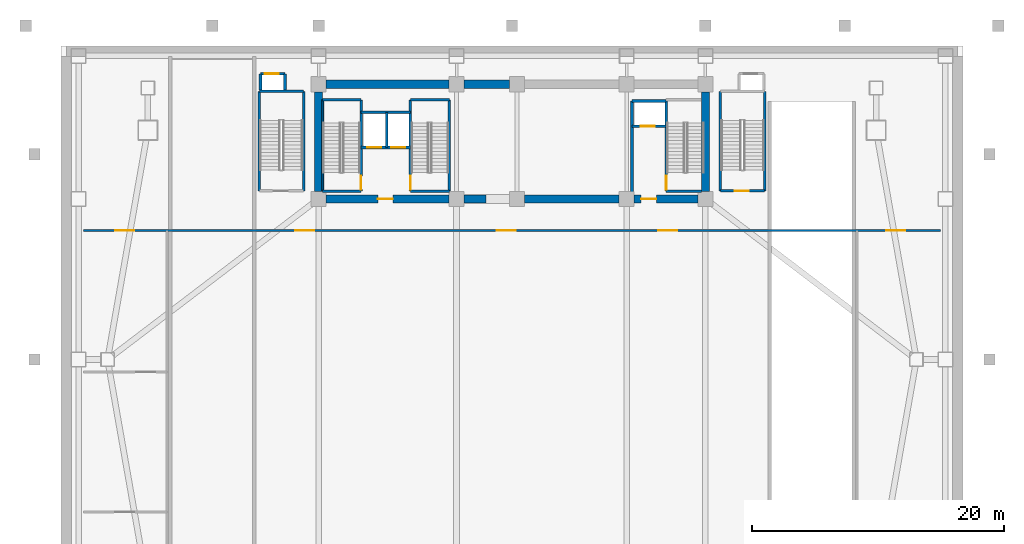
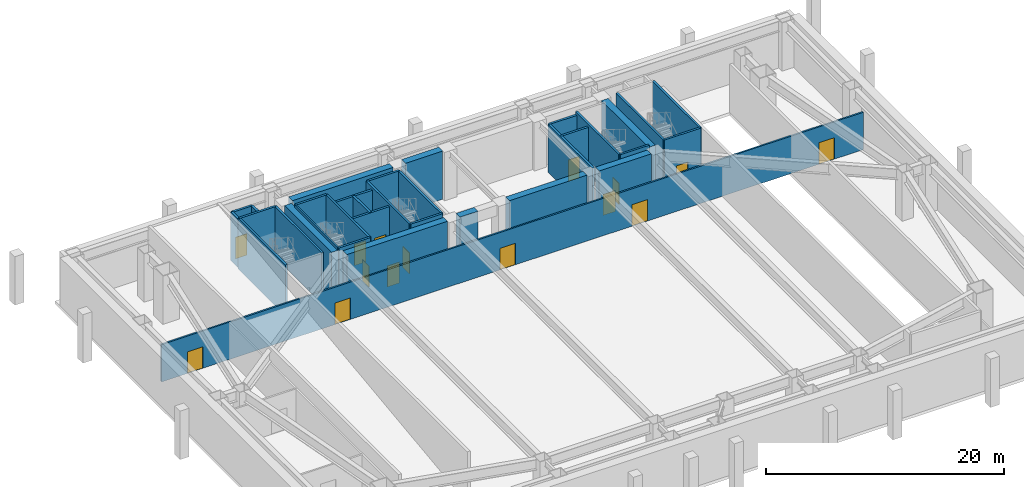
# One storey, part 3 of 6: 34 walls, 15 doors, 15 openings.
"""IFC4 building model written with IfcOpenShell, lengths in metres."""

from ifc_helpers import new_model, si_unit, direction, frame, frame_2d, origin, place, context, subcontext, project, spatial, rectangle, extrude, source, transform, mapped, material, layer, layer_set, type_object, element, fill, save


model = new_model("IFC4")

# Units and contexts
model_context = context("Model", 3, precision=1e-05, world=origin(), true_north=direction((0.0, 1.0)))
body_context = subcontext(model_context, "Body", "Model", "MODEL_VIEW")
ifc_project = project(units=[si_unit("LENGTHUNIT", "METRE"), si_unit("AREAUNIT", "SQUARE_METRE"), si_unit("VOLUMEUNIT", "CUBIC_METRE"), si_unit("PLANEANGLEUNIT", "RADIAN"), si_unit("MASSUNIT", "GRAM", prefix="KILO")], contexts=[model_context])

# Site, building, storey
site_placement = place(None, origin())
site = spatial("IfcSite", under=ifc_project, at=site_placement, CompositionType="ELEMENT")
building_placement = place(site_placement, origin())
building = spatial("IfcBuilding", under=site, at=building_placement, Name="Giltprow Tower", CompositionType="ELEMENT")
storey_placement = place(building_placement, frame((0.0, 0.0, -5.199951171875)))
storey = spatial("IfcBuildingStorey", under=building, at=storey_placement, Name="B01", CompositionType="ELEMENT", Elevation=-5.199951171875)

# Wall, openings, doors
ifc_material_1 = material(Name="Gypsum stud partition", Category="gypsum")
ifc_layer_1 = layer(ifc_material_1, 0.159912109375, Name="Gypsum stud partition")
ifc_layer_set_1 = layer_set([ifc_layer_1], Name="Gypsum stud partition")
wall_type_1 = type_object("IfcWallType", Name="IW-DEMISE-160", PredefinedType="PARTITIONING", material=ifc_layer_set_1)
wall_1_placement = place(storey_placement, frame((1.199951171875, 34.949951171875, 0.0), z_axis=(0.0, 0.0, 1.0), x_axis=(1.0, 0.0, 0.0)))
wall_1 = element("IfcWall", 1, at=wall_1_placement, inside=storey, type_object=wall_type_1, Name="B01 Car Park and Plant North Fire Wall", PredefinedType="PARTITIONING", context=body_context, shape_type="SweptSolid", body=[
    extrude(rectangle(XDim=68.0, YDim=0.159912109375, at=frame_2d((34.0, 0.0))), origin(), (0.0, 0.0, 1.0), 3.824951171875),
])
opening_1_placement = place(wall_1_placement, frame((16.800048828125, 0.0, 0.0)))
opening_1 = element("IfcOpeningElement", 2, at=opening_1_placement, cuts=wall_1, Name="Opening ID25", PredefinedType="OPENING", context=body_context, shape_type="SweptSolid", body=[
    extrude(rectangle(XDim=1.5, YDim=2.199951171875, at=frame_2d((0.75, 1.10009765625))), frame((0.0, 0.08984375, 0.0), z_axis=(0.0, -1.0, 0.0), x_axis=(1.0, 0.0, 0.0)), (0.0, 0.0, 1.0), 0.179931640625),
])
opening_2_placement = place(wall_1_placement, frame((32.800048828125, 0.0, 0.0)))
opening_2 = element("IfcOpeningElement", 3, at=opening_2_placement, cuts=wall_1, Name="Opening ID25", PredefinedType="OPENING", context=body_context, shape_type="SweptSolid", body=[
    extrude(rectangle(XDim=1.5, YDim=2.199951171875, at=frame_2d((0.75, 1.10009765625))), frame((0.0, 0.08984375, 0.0), z_axis=(0.0, -1.0, 0.0), x_axis=(1.0, 0.0, 0.0)), (0.0, 0.0, 1.0), 0.179931640625),
])
opening_3_placement = place(wall_1_placement, frame((45.60009765625, 0.0, 0.0)))
opening_3 = element("IfcOpeningElement", 4, at=opening_3_placement, cuts=wall_1, Name="Opening ID25", PredefinedType="OPENING", context=body_context, shape_type="SweptSolid", body=[
    extrude(rectangle(XDim=1.5, YDim=2.199951171875, at=frame_2d((0.75, 1.10009765625))), frame((0.0, 0.08984375, 0.0), z_axis=(0.0, -1.0, 0.0), x_axis=(1.0, 0.0, 0.0)), (0.0, 0.0, 1.0), 0.179931640625),
])
opening_4_placement = place(wall_1_placement, frame((2.5, 0.0, 0.0)))
opening_4 = element("IfcOpeningElement", 5, at=opening_4_placement, cuts=wall_1, Name="Opening ID25", PredefinedType="OPENING", context=body_context, shape_type="SweptSolid", body=[
    extrude(rectangle(XDim=1.5, YDim=2.199951171875, at=frame_2d((0.75, 1.10009765625))), frame((0.0, 0.08984375, 0.0), z_axis=(0.0, -1.0, 0.0), x_axis=(1.0, 0.0, 0.0)), (0.0, 0.0, 1.0), 0.179931640625),
])
opening_5_placement = place(wall_1_placement, frame((63.699951171875, 0.0, 0.0)))
opening_5 = element("IfcOpeningElement", 6, at=opening_5_placement, cuts=wall_1, Name="Opening ID25", PredefinedType="OPENING", context=body_context, shape_type="SweptSolid", body=[
    extrude(rectangle(XDim=1.5, YDim=2.199951171875, at=frame_2d((0.75, 1.10009765625))), frame((0.0, 0.08984375, 0.0), z_axis=(0.0, -1.0, 0.0), x_axis=(1.0, 0.0, 0.0)), (0.0, 0.0, 1.0), 0.179931640625),
])
ifc_material_2 = material(Name="Steel fire leaf", Category="steel")
door_type_1 = type_object("IfcDoorType", Name="DR-PLANT-1500", OperationType="DOUBLE_SWING_LEFT", PredefinedType="DOOR", material=ifc_material_2)
shared_shape_1 = source(origin(), body_context, "Body", "SweptSolid", [
    extrude(rectangle(XDim=1.5, YDim=2.199951171875, at=frame_2d((0.75, 1.10009765625))), frame((0.0, 0.02490234375, 0.0), z_axis=(0.0, -1.0, 0.0), x_axis=(1.0, 0.0, 0.0)), (0.0, 0.0, 1.0), 0.050048828125),
])
door_1_placement = place(opening_1_placement, origin())
door_1 = element("IfcDoor", 7, at=door_1_placement, inside=storey, type_object=door_type_1, Name="B01 Car Park West Lobby Door", OperationType="DOUBLE_SWING_LEFT", OverallHeight=2.199951171875, OverallWidth=1.5, PredefinedType="DOOR", context=body_context, shape_type="MappedRepresentation", body=[
    mapped(shared_shape_1, transform((0.0, 0.0, 0.0), x_axis=(1.0, 0.0, 0.0), y_axis=(0.0, 1.0, 0.0), z_axis=(0.0, 0.0, 1.0), scale=1.0)),
])
fill(opening_1, door_1)
door_2_placement = place(opening_2_placement, origin())
door_2 = element("IfcDoor", 8, at=door_2_placement, inside=storey, type_object=door_type_1, Name="B01 Car Park Central Lobby Door", OperationType="DOUBLE_SWING_LEFT", OverallHeight=2.199951171875, OverallWidth=1.5, PredefinedType="DOOR", context=body_context, shape_type="MappedRepresentation", body=[
    mapped(shared_shape_1, transform((0.0, 0.0, 0.0), x_axis=(1.0, 0.0, 0.0), y_axis=(0.0, 1.0, 0.0), z_axis=(0.0, 0.0, 1.0), scale=1.0)),
])
fill(opening_2, door_2)
door_3_placement = place(opening_3_placement, origin())
door_3 = element("IfcDoor", 9, at=door_3_placement, inside=storey, type_object=door_type_1, Name="B01 Car Park East Lobby Door", OperationType="DOUBLE_SWING_LEFT", OverallHeight=2.199951171875, OverallWidth=1.5, PredefinedType="DOOR", context=body_context, shape_type="MappedRepresentation", body=[
    mapped(shared_shape_1, transform((0.0, 0.0, 0.0), x_axis=(1.0, 0.0, 0.0), y_axis=(0.0, 1.0, 0.0), z_axis=(0.0, 0.0, 1.0), scale=1.0)),
])
fill(opening_3, door_3)
door_4_placement = place(opening_4_placement, origin())
door_4 = element("IfcDoor", 10, at=door_4_placement, inside=storey, type_object=door_type_1, Name="B01 Sprinkler Tank and Booster Plant Room Corridor Door", OperationType="DOUBLE_SWING_LEFT", OverallHeight=2.199951171875, OverallWidth=1.5, PredefinedType="DOOR", context=body_context, shape_type="MappedRepresentation", body=[
    mapped(shared_shape_1, transform((0.0, 0.0, 0.0), x_axis=(1.0, 0.0, 0.0), y_axis=(0.0, 1.0, 0.0), z_axis=(0.0, 0.0, 1.0), scale=1.0)),
])
fill(opening_4, door_4)
door_5_placement = place(opening_5_placement, origin())
door_5 = element("IfcDoor", 11, at=door_5_placement, inside=storey, type_object=door_type_1, Name="B01 Fan and Smoke Extract Plant Door", OperationType="DOUBLE_SWING_LEFT", OverallHeight=2.199951171875, OverallWidth=1.5, PredefinedType="DOOR", context=body_context, shape_type="MappedRepresentation", body=[
    mapped(shared_shape_1, transform((0.0, 0.0, 0.0), x_axis=(1.0, 0.0, 0.0), y_axis=(0.0, 1.0, 0.0), z_axis=(0.0, 0.0, 1.0), scale=1.0)),
])
fill(opening_5, door_5)

ifc_material_3 = material(Name="Concrete C40", Category="concrete")
ifc_layer_2 = layer(ifc_material_3, 0.219970703125, Name="Concrete C40")
ifc_layer_set_2 = layer_set([ifc_layer_2], Name="Concrete C40")
wall_type_2 = type_object("IfcWallType", Name="IW-SHAFT-220", PredefinedType="SOLIDWALL", material=ifc_layer_set_2)
wall_2_placement = place(storey_placement, frame((23.219970703125, 41.52001953125, 0.0), z_axis=(0.0, 0.0, 1.0), x_axis=(1.0, 0.0, 0.0)))
wall_2 = element("IfcWall", 12, at=wall_2_placement, inside=storey, type_object=wall_type_2, Name="B01 FFL1 and Service Lift Front Wall", PredefinedType="SOLIDWALL", context=body_context, shape_type="SweptSolid", body=[
    extrude(rectangle(XDim=3.919921875, YDim=0.219970703125, at=frame_2d((1.9599609375, 0.0))), origin(), (0.0, 0.0, 1.0), 4.93994140625),
])
opening_6_placement = place(wall_2_placement, frame((0.5, 0.0, 0.0)))
opening_6 = element("IfcOpeningElement", 13, at=opening_6_placement, cuts=wall_2, Name="Opening LD-11", PredefinedType="OPENING", context=body_context, shape_type="SweptSolid", body=[
    extrude(rectangle(XDim=1.10009765625, YDim=2.199951171875, at=frame_2d((0.550048828125, 1.10009765625))), frame((0.0, 0.119873046875, 0.0), z_axis=(0.0, -1.0, 0.0), x_axis=(1.0, 0.0, 0.0)), (0.0, 0.0, 1.0), 0.239990234375),
])
opening_7_placement = place(wall_2_placement, frame((2.39990234375, 0.0, 0.0)))
opening_7 = element("IfcOpeningElement", 14, at=opening_7_placement, cuts=wall_2, Name="Opening LD-11", PredefinedType="OPENING", context=body_context, shape_type="SweptSolid", body=[
    extrude(rectangle(XDim=1.10009765625, YDim=2.199951171875, at=frame_2d((0.550048828125, 1.10009765625))), frame((0.0, 0.119873046875, 0.0), z_axis=(0.0, -1.0, 0.0), x_axis=(1.0, 0.0, 0.0)), (0.0, 0.0, 1.0), 0.239990234375),
])
ifc_material_4 = material(Name="Stainless steel", Category="steel")
door_type_2 = type_object("IfcDoorType", Name="DR-LIFT-LD1100", OperationType="SLIDING_TO_LEFT", PredefinedType="DOOR", material=ifc_material_4)
shared_shape_2 = source(origin(), body_context, "Body", "SweptSolid", [
    extrude(rectangle(XDim=1.10009765625, YDim=2.199951171875, at=frame_2d((0.550048828125, 1.10009765625))), frame((0.0, 0.02490234375, 0.0), z_axis=(0.0, -1.0, 0.0), x_axis=(1.0, 0.0, 0.0)), (0.0, 0.0, 1.0), 0.050048828125),
])
door_6_placement = place(opening_6_placement, origin())
door_6 = element("IfcDoor", 15, at=door_6_placement, inside=storey, type_object=door_type_2, Name="B01 FFL1 Landing Door", OperationType="SLIDING_TO_LEFT", OverallHeight=2.199951171875, OverallWidth=1.10009765625, PredefinedType="DOOR", context=body_context, shape_type="MappedRepresentation", body=[
    mapped(shared_shape_2, transform((0.0, 0.0, 0.0), x_axis=(1.0, 0.0, 0.0), y_axis=(0.0, 1.0, 0.0), z_axis=(0.0, 0.0, 1.0), scale=1.0)),
])
fill(opening_6, door_6)
door_7_placement = place(opening_7_placement, origin())
door_7 = element("IfcDoor", 16, at=door_7_placement, inside=storey, type_object=door_type_2, Name="B01 SVL1 Landing Door", OperationType="SLIDING_TO_LEFT", OverallHeight=2.199951171875, OverallWidth=1.10009765625, PredefinedType="DOOR", context=body_context, shape_type="MappedRepresentation", body=[
    mapped(shared_shape_2, transform((0.0, 0.0, 0.0), x_axis=(1.0, 0.0, 0.0), y_axis=(0.0, 1.0, 0.0), z_axis=(0.0, 0.0, 1.0), scale=1.0)),
])
fill(opening_7, door_7)

# Walls
wall_3_placement = place(storey_placement, frame((25.260009765625, 41.52001953125, 0.0), z_axis=(0.0, 0.0, 1.0), x_axis=(0.0, 1.0, 0.0)))
element("IfcWall", 17, at=wall_3_placement, inside=storey, type_object=wall_type_2, Name="B01 FFL1-SVL1 Shaft Divider", PredefinedType="SOLIDWALL", context=body_context, shape_type="SweptSolid", body=[
    extrude(rectangle(XDim=2.800048828125, YDim=0.219970703125, at=frame_2d((1.39990234375, 0.0))), origin(), (0.0, 0.0, 1.0), 4.93994140625),
])
wall_4_placement = place(storey_placement, frame((23.219970703125, 44.320068359375, 0.0), z_axis=(0.0, 0.0, 1.0), x_axis=(1.0, 0.0, 0.0)))
element("IfcWall", 18, at=wall_4_placement, inside=storey, type_object=wall_type_2, Name="B01 FFL1-SVL1 Back Shaft Wall", PredefinedType="SOLIDWALL", context=body_context, shape_type="SweptSolid", body=[
    extrude(rectangle(XDim=3.919921875, YDim=0.219970703125, at=frame_2d((1.9599609375, 0.0))), origin(), (0.0, 0.0, 1.0), 4.93994140625),
])

# Wall, opening, door
wall_5_placement = place(storey_placement, frame((44.719970703125, 43.219970703125, 0.0), z_axis=(0.0, 0.0, 1.0), x_axis=(1.0, 0.0, 0.0)))
wall_5 = element("IfcWall", 19, at=wall_5_placement, inside=storey, type_object=wall_type_2, Name="B01 FFL2 Front Shaft Wall", PredefinedType="SOLIDWALL", context=body_context, shape_type="SweptSolid", body=[
    extrude(rectangle(XDim=2.719970703125, YDim=0.219970703125, at=frame_2d((1.35986328125, 0.0))), origin(), (0.0, 0.0, 1.0), 4.93994140625),
])
opening_8_placement = place(wall_5_placement, frame((0.699951171875, 0.0, 0.0)))
opening_8 = element("IfcOpeningElement", 20, at=opening_8_placement, cuts=wall_5, Name="Opening LD-11", PredefinedType="OPENING", context=body_context, shape_type="SweptSolid", body=[
    extrude(rectangle(XDim=1.10009765625, YDim=2.199951171875, at=frame_2d((0.550048828125, 1.10009765625))), frame((0.0, 0.119873046875, 0.0), z_axis=(0.0, -1.0, 0.0), x_axis=(1.0, 0.0, 0.0)), (0.0, 0.0, 1.0), 0.239990234375),
])
door_8_placement = place(opening_8_placement, origin())
door_8 = element("IfcDoor", 21, at=door_8_placement, inside=storey, type_object=door_type_2, Name="B01 FFL2 Landing Door", OperationType="SLIDING_TO_LEFT", OverallHeight=2.199951171875, OverallWidth=1.10009765625, PredefinedType="DOOR", context=body_context, shape_type="MappedRepresentation", body=[
    mapped(shared_shape_2, transform((0.0, 0.0, 0.0), x_axis=(1.0, 0.0, 0.0), y_axis=(0.0, 1.0, 0.0), z_axis=(0.0, 0.0, 1.0), scale=1.0)),
])
fill(opening_8, door_8)

# Walls
wall_6_placement = place(storey_placement, frame((44.719970703125, 45.219970703125, 0.0), z_axis=(0.0, 0.0, 1.0), x_axis=(1.0, 0.0, 0.0)))
element("IfcWall", 22, at=wall_6_placement, inside=storey, type_object=wall_type_2, Name="B01 FFL2 Back Shaft Wall", PredefinedType="SOLIDWALL", context=body_context, shape_type="SweptSolid", body=[
    extrude(rectangle(XDim=2.719970703125, YDim=0.219970703125, at=frame_2d((1.35986328125, 0.0))), origin(), (0.0, 0.0, 1.0), 4.93994140625),
])
wall_7_placement = place(storey_placement, frame((44.719970703125, 37.7548828125, 0.0), z_axis=(0.0, 0.0, 1.0), x_axis=(0.0, 1.0, 0.0)))
element("IfcWall", 23, at=wall_7_placement, inside=storey, type_object=wall_type_2, Name="B01 East Firefighting Lobby West Wall", PredefinedType="SOLIDWALL", context=body_context, shape_type="SweptSolid", body=[
    extrude(rectangle(XDim=7.465087890625, YDim=0.219970703125, at=frame_2d((3.732421875, 0.0))), origin(), (0.0, 0.0, 1.0), 4.93994140625),
])

# Wall, opening, door
wall_8_placement = place(storey_placement, frame((15.22998046875, 47.3798828125, 0.0), z_axis=(0.0, 0.0, 1.0), x_axis=(1.0, 0.0, 0.0)))
wall_8 = element("IfcWall", 24, at=wall_8_placement, inside=storey, type_object=wall_type_2, Name="B01 PL-P1 Front Wall", PredefinedType="SOLIDWALL", context=body_context, shape_type="SweptSolid", body=[
    extrude(rectangle(XDim=1.9599609375, YDim=0.219970703125, at=frame_2d((0.97998046875, 0.0))), origin(), (0.0, 0.0, 1.0), 4.93994140625),
])
opening_9_placement = place(wall_8_placement, frame((0.35009765625, 0.0, 0.0)))
opening_9 = element("IfcOpeningElement", 25, at=opening_9_placement, cuts=wall_8, Name="Opening LD-11", PredefinedType="OPENING", context=body_context, shape_type="SweptSolid", body=[
    extrude(rectangle(XDim=1.10009765625, YDim=2.199951171875, at=frame_2d((0.550048828125, 1.10009765625))), frame((0.0, 0.119873046875, 0.0), z_axis=(0.0, -1.0, 0.0), x_axis=(1.0, 0.0, 0.0)), (0.0, 0.0, 1.0), 0.239990234375),
])
door_9_placement = place(opening_9_placement, origin())
door_9 = element("IfcDoor", 26, at=door_9_placement, inside=storey, type_object=door_type_2, Name="B01 PL-P1 Landing Door", OperationType="SLIDING_TO_LEFT", OverallHeight=2.199951171875, OverallWidth=1.10009765625, PredefinedType="DOOR", context=body_context, shape_type="MappedRepresentation", body=[
    mapped(shared_shape_2, transform((0.0, 0.0, 0.0), x_axis=(1.0, 0.0, 0.0), y_axis=(0.0, 1.0, 0.0), z_axis=(0.0, 0.0, 1.0), scale=1.0)),
])
fill(opening_9, door_9)

# Walls
for number, where, z_axis, x_axis, name in (
    (27, (15.22998046875, 46.090087890625, 0.0), (0.0, 0.0, 1.0), (0.0, 1.0, 0.0), "B01 PL-P1 West Shaft Wall"),
    (28, (17.18994140625, 46.090087890625, 0.0), (0.0, 0.0, 1.0), (0.0, 1.0, 0.0), "B01 PL-P1 East Shaft Wall"),
):
    element("IfcWall", number, at=place(storey_placement, frame(where, z_axis=z_axis, x_axis=x_axis)), inside=storey, type_object=wall_type_2, Name=name, PredefinedType="SOLIDWALL", context=body_context, shape_type="SweptSolid", body=[
        extrude(rectangle(XDim=1.289794921875, YDim=0.219970703125, at=frame_2d((0.64501953125, 0.0))), origin(), (0.0, 0.0, 1.0), 4.93994140625),
    ])
ifc_material_5 = material(Name="Concrete C45", Category="concrete")
ifc_layer_3 = layer(ifc_material_5, 0.139892578125, Name="Concrete C45")
ifc_layer_set_3 = layer_set([ifc_layer_3], Name="Concrete C45")
wall_type_3 = type_object("IfcWallType", Name="IW-STAIR-140", PredefinedType="SOLIDWALL", material=ifc_layer_set_3)
wall_9_placement = place(storey_placement, frame((20.169921875, 38.070068359375, 0.0), z_axis=(0.0, 0.0, 1.0), x_axis=(0.0, 1.0, 0.0)))
element("IfcWall", 29, at=wall_9_placement, inside=storey, type_object=wall_type_3, Name="B01 Stair ST-1 West Bearing Wall", PredefinedType="SOLIDWALL", context=body_context, shape_type="SweptSolid", body=[
    extrude(rectangle(XDim=7.25, YDim=0.139892578125, at=frame_2d((3.625, 0.0))), origin(), (0.0, 0.0, 1.0), 5.199951171875),
])

# Wall, opening, door
ifc_layer_4 = layer(ifc_material_3, 0.199951171875, Name="Concrete C40")
ifc_layer_set_4 = layer_set([ifc_layer_4], Name="Concrete C40")
wall_type_4 = type_object("IfcWallType", Name="IW-STAIR-200", PredefinedType="SOLIDWALL", material=ifc_layer_set_4)
wall_10_placement = place(storey_placement, frame((23.219970703125, 38.070068359375, 0.0), z_axis=(0.0, 0.0, 1.0), x_axis=(0.0, 1.0, 0.0)))
wall_10 = element("IfcWall", 30, at=wall_10_placement, inside=storey, type_object=wall_type_4, Name="B01 Stair ST-1 East Bearing Wall", PredefinedType="SOLIDWALL", context=body_context, shape_type="SweptSolid", body=[
    extrude(rectangle(XDim=7.25, YDim=0.199951171875, at=frame_2d((3.625, 0.0))), origin(), (0.0, 0.0, 1.0), 5.199951171875),
])
opening_10_placement = place(wall_10_placement, frame((0.110107421875, 0.0, 0.0)))
opening_10 = element("IfcOpeningElement", 31, at=opening_10_placement, cuts=wall_10, Name="Opening ID33", PredefinedType="OPENING", context=body_context, shape_type="SweptSolid", body=[
    extrude(rectangle(XDim=1.10009765625, YDim=2.14990234375, at=frame_2d((0.550048828125, 1.074951171875))), frame((0.0, 0.10986328125, 0.0), z_axis=(0.0, -1.0, 0.0), x_axis=(1.0, 0.0, 0.0)), (0.0, 0.0, 1.0), 0.219970703125),
])
door_type_3 = type_object("IfcDoorType", Name="DR-STAIR-1100", OperationType="SINGLE_SWING_LEFT", PredefinedType="DOOR", material=ifc_material_2)
shared_shape_3 = source(origin(), body_context, "Body", "SweptSolid", [
    extrude(rectangle(XDim=1.10009765625, YDim=2.14990234375, at=frame_2d((0.550048828125, 1.074951171875))), frame((0.0, 0.02490234375, 0.0), z_axis=(0.0, -1.0, 0.0), x_axis=(1.0, 0.0, 0.0)), (0.0, 0.0, 1.0), 0.050048828125),
])
door_10_placement = place(opening_10_placement, origin())
door_10 = element("IfcDoor", 32, at=door_10_placement, inside=storey, type_object=door_type_3, Name="B01 Stair ST-1 Fire Door", OperationType="SINGLE_SWING_RIGHT", OverallHeight=2.14990234375, OverallWidth=1.10009765625, PredefinedType="DOOR", context=body_context, shape_type="MappedRepresentation", body=[
    mapped(shared_shape_3, transform((0.0, 0.0, 0.0), x_axis=(1.0, 0.0, 0.0), y_axis=(0.0, 1.0, 0.0), z_axis=(0.0, 0.0, 1.0), scale=1.0)),
])
fill(opening_10, door_10)

# Walls
for number, where, z_axis, x_axis, name in (
    (33, (20.169921875, 45.320068359375, 0.0), (0.0, 0.0, 1.0), (1.0, 0.0, 0.0), "B01 Stair ST-1 North Bearing Wall"),
    (34, (20.169921875, 38.070068359375, 0.0), (0.0, 0.0, 1.0), (1.0, 0.0, 0.0), "B01 Stair ST-1 South Bearing Wall"),
):
    element("IfcWall", number, at=place(storey_placement, frame(where, z_axis=z_axis, x_axis=x_axis)), inside=storey, type_object=wall_type_4, Name=name, PredefinedType="SOLIDWALL", context=body_context, shape_type="SweptSolid", body=[
        extrude(rectangle(XDim=3.050048828125, YDim=0.199951171875, at=frame_2d((1.52490234375, 0.0))), origin(), (0.0, 0.0, 1.0), 5.199951171875),
    ])

# Wall, opening, door
wall_11_placement = place(storey_placement, frame((27.139892578125, 38.070068359375, 0.0), z_axis=(0.0, 0.0, 1.0), x_axis=(0.0, 1.0, 0.0)))
wall_11 = element("IfcWall", 35, at=wall_11_placement, inside=storey, type_object=wall_type_4, Name="B01 Stair ST-2 West Bearing Wall", PredefinedType="SOLIDWALL", context=body_context, shape_type="SweptSolid", body=[
    extrude(rectangle(XDim=7.25, YDim=0.199951171875, at=frame_2d((3.625, 0.0))), origin(), (0.0, 0.0, 1.0), 5.199951171875),
])
opening_11_placement = place(wall_11_placement, frame((0.110107421875, 0.0, 0.0)))
opening_11 = element("IfcOpeningElement", 36, at=opening_11_placement, cuts=wall_11, Name="Opening ID33", PredefinedType="OPENING", context=body_context, shape_type="SweptSolid", body=[
    extrude(rectangle(XDim=1.10009765625, YDim=2.14990234375, at=frame_2d((0.550048828125, 1.074951171875))), frame((0.0, 0.10986328125, 0.0), z_axis=(0.0, -1.0, 0.0), x_axis=(1.0, 0.0, 0.0)), (0.0, 0.0, 1.0), 0.219970703125),
])
door_11_placement = place(opening_11_placement, origin())
door_11 = element("IfcDoor", 37, at=door_11_placement, inside=storey, type_object=door_type_3, Name="B01 Stair ST-2 Fire Door", OperationType="SINGLE_SWING_LEFT", OverallHeight=2.14990234375, OverallWidth=1.10009765625, PredefinedType="DOOR", context=body_context, shape_type="MappedRepresentation", body=[
    mapped(shared_shape_3, transform((0.0, 0.0, 0.0), x_axis=(1.0, 0.0, 0.0), y_axis=(0.0, 1.0, 0.0), z_axis=(0.0, 0.0, 1.0), scale=1.0)),
])
fill(opening_11, door_11)

# Walls
wall_12_placement = place(storey_placement, frame((30.219970703125, 38.070068359375, 0.0), z_axis=(0.0, 0.0, 1.0), x_axis=(0.0, 1.0, 0.0)))
element("IfcWall", 38, at=wall_12_placement, inside=storey, type_object=wall_type_4, Name="B01 Stair ST-2 East Bearing Wall", PredefinedType="SOLIDWALL", context=body_context, shape_type="SweptSolid", body=[
    extrude(rectangle(XDim=7.25, YDim=0.199951171875, at=frame_2d((3.625, 0.0))), origin(), (0.0, 0.0, 1.0), 5.199951171875),
])
for number, where, z_axis, x_axis, name in (
    (39, (27.139892578125, 45.320068359375, 0.0), (0.0, 0.0, 1.0), (1.0, 0.0, 0.0), "B01 Stair ST-2 North Bearing Wall"),
    (40, (27.139892578125, 38.070068359375, 0.0), (0.0, 0.0, 1.0), (1.0, 0.0, 0.0), "B01 Stair ST-2 South Bearing Wall"),
):
    element("IfcWall", number, at=place(storey_placement, frame(where, z_axis=z_axis, x_axis=x_axis)), inside=storey, type_object=wall_type_4, Name=name, PredefinedType="SOLIDWALL", context=body_context, shape_type="SweptSolid", body=[
        extrude(rectangle(XDim=3.080078125, YDim=0.199951171875, at=frame_2d((1.5400390625, 0.0))), origin(), (0.0, 0.0, 1.0), 5.199951171875),
    ])

# Wall, opening, door
wall_13_placement = place(storey_placement, frame((47.43994140625, 38.070068359375, 0.0), z_axis=(0.0, 0.0, 1.0), x_axis=(0.0, 1.0, 0.0)))
wall_13 = element("IfcWall", 41, at=wall_13_placement, inside=storey, type_object=wall_type_4, Name="B01 Stair ST-3 West Bearing Wall", PredefinedType="SOLIDWALL", context=body_context, shape_type="SweptSolid", body=[
    extrude(rectangle(XDim=7.25, YDim=0.199951171875, at=frame_2d((3.625, 0.0))), origin(), (0.0, 0.0, 1.0), 5.199951171875),
])
opening_12_placement = place(wall_13_placement, frame((0.110107421875, 0.0, 0.0)))
opening_12 = element("IfcOpeningElement", 42, at=opening_12_placement, cuts=wall_13, Name="Opening ID33", PredefinedType="OPENING", context=body_context, shape_type="SweptSolid", body=[
    extrude(rectangle(XDim=1.10009765625, YDim=2.14990234375, at=frame_2d((0.550048828125, 1.074951171875))), frame((0.0, 0.10986328125, 0.0), z_axis=(0.0, -1.0, 0.0), x_axis=(1.0, 0.0, 0.0)), (0.0, 0.0, 1.0), 0.219970703125),
])
door_12_placement = place(opening_12_placement, origin())
door_12 = element("IfcDoor", 43, at=door_12_placement, inside=storey, type_object=door_type_3, Name="B01 Stair ST-3 Fire Door", OperationType="SINGLE_SWING_RIGHT", OverallHeight=2.14990234375, OverallWidth=1.10009765625, PredefinedType="DOOR", context=body_context, shape_type="MappedRepresentation", body=[
    mapped(shared_shape_3, transform((0.0, 0.0, 0.0), x_axis=(1.0, 0.0, 0.0), y_axis=(0.0, 1.0, 0.0), z_axis=(0.0, 0.0, 1.0), scale=1.0)),
])
fill(opening_12, door_12)

# Walls
wall_14_placement = place(storey_placement, frame((47.43994140625, 38.070068359375, 0.0), z_axis=(0.0, 0.0, 1.0), x_axis=(1.0, 0.0, 0.0)))
element("IfcWall", 44, at=wall_14_placement, inside=storey, type_object=wall_type_4, Name="B01 Stair ST-3 South Bearing Wall", PredefinedType="SOLIDWALL", context=body_context, shape_type="SweptSolid", body=[
    extrude(rectangle(XDim=2.80517578125, YDim=0.199951171875, at=frame_2d((1.402587890625, 0.0))), origin(), (0.0, 0.0, 1.0), 5.199951171875),
])
for number, where, z_axis, x_axis, name in (
    (45, (15.139892578125, 38.080078125, 0.0), (0.0, 0.0, 1.0), (0.0, 1.0, 0.0), "B01 Podium Stair ST-P1 West Bearing Wall"),
    (46, (18.659912109375, 38.080078125, 0.0), (0.0, 0.0, 1.0), (0.0, 1.0, 0.0), "B01 Podium Stair ST-P1 East Bearing Wall"),
):
    element("IfcWall", number, at=place(storey_placement, frame(where, z_axis=z_axis, x_axis=x_axis)), inside=storey, type_object=wall_type_4, Name=name, PredefinedType="SOLIDWALL", context=body_context, shape_type="SweptSolid", body=[
        extrude(rectangle(XDim=7.89990234375, YDim=0.199951171875, at=frame_2d((3.949951171875, 0.0))), origin(), (0.0, 0.0, 1.0), 5.199951171875),
    ])
wall_15_placement = place(storey_placement, frame((15.139892578125, 45.97998046875, 0.0), z_axis=(0.0, 0.0, 1.0), x_axis=(1.0, 0.0, 0.0)))
element("IfcWall", 47, at=wall_15_placement, inside=storey, type_object=wall_type_4, Name="B01 Podium Stair ST-P1 North Bearing Wall", PredefinedType="SOLIDWALL", context=body_context, shape_type="SweptSolid", body=[
    extrude(rectangle(XDim=3.52001953125, YDim=0.199951171875, at=frame_2d((1.760009765625, 0.0))), origin(), (0.0, 0.0, 1.0), 5.199951171875),
])
for number, where, z_axis, x_axis, name in (
    (48, (51.739990234375, 38.080078125, 0.0), (0.0, 0.0, 1.0), (0.0, 1.0, 0.0), "B01 Podium Stair ST-P2 West Bearing Wall"),
    (49, (55.260009765625, 38.080078125, 0.0), (0.0, 0.0, 1.0), (0.0, 1.0, 0.0), "B01 Podium Stair ST-P2 East Bearing Wall"),
):
    element("IfcWall", number, at=place(storey_placement, frame(where, z_axis=z_axis, x_axis=x_axis)), inside=storey, type_object=wall_type_4, Name=name, PredefinedType="SOLIDWALL", context=body_context, shape_type="SweptSolid", body=[
        extrude(rectangle(XDim=7.89990234375, YDim=0.199951171875, at=frame_2d((3.949951171875, 0.0))), origin(), (0.0, 0.0, 1.0), 5.199951171875),
    ])

# Wall, opening, door
wall_16_placement = place(storey_placement, frame((51.739990234375, 38.080078125, 0.0), z_axis=(0.0, 0.0, 1.0), x_axis=(1.0, 0.0, 0.0)))
wall_16 = element("IfcWall", 50, at=wall_16_placement, inside=storey, type_object=wall_type_4, Name="B01 Podium Stair ST-P2 South Bearing Wall", PredefinedType="SOLIDWALL", context=body_context, shape_type="SweptSolid", body=[
    extrude(rectangle(XDim=3.52001953125, YDim=0.199951171875, at=frame_2d((1.760009765625, 0.0))), origin(), (0.0, 0.0, 1.0), 5.199951171875),
])
opening_13_placement = place(wall_16_placement, frame((1.14990234375, 0.0, 0.0)))
opening_13 = element("IfcOpeningElement", 51, at=opening_13_placement, cuts=wall_16, Name="Opening ID33", PredefinedType="OPENING", context=body_context, shape_type="SweptSolid", body=[
    extrude(rectangle(XDim=1.10009765625, YDim=2.14990234375, at=frame_2d((0.550048828125, 1.074951171875))), frame((0.0, 0.10986328125, 0.0), z_axis=(0.0, -1.0, 0.0), x_axis=(1.0, 0.0, 0.0)), (0.0, 0.0, 1.0), 0.219970703125),
])
door_13_placement = place(opening_13_placement, origin())
door_13 = element("IfcDoor", 52, at=door_13_placement, inside=storey, type_object=door_type_3, Name="B01 Podium Stair ST-P2 Door", OperationType="SINGLE_SWING_RIGHT", OverallHeight=2.14990234375, OverallWidth=1.10009765625, PredefinedType="DOOR", context=body_context, shape_type="MappedRepresentation", body=[
    mapped(shared_shape_3, transform((0.0, 0.0, 0.0), x_axis=(1.0, 0.0, 0.0), y_axis=(0.0, 1.0, 0.0), z_axis=(0.0, 0.0, 1.0), scale=1.0)),
])
fill(opening_13, door_13)

# Walls
ifc_material_6 = material(Name="Concrete C60", Category="concrete")
ifc_layer_5 = layer(ifc_material_6, 0.64990234375, Name="Concrete C60")
ifc_layer_set_5 = layer_set([ifc_layer_5], Name="Concrete C60")
wall_type_5 = type_object("IfcWallType", Name="SW-INT-650-C60", PredefinedType="SHEAR", material=ifc_layer_set_5)
wall_17_placement = place(storey_placement, frame((20.449951171875, 46.550048828125, 0.0), z_axis=(0.0, 0.0, 1.0), x_axis=(1.0, 0.0, 0.0)))
element("IfcWall", 53, at=wall_17_placement, inside=storey, type_object=wall_type_5, Name="B01 North Rear Core Shear Wall 1", PredefinedType="SHEAR", context=body_context, shape_type="SweptSolid", body=[
    extrude(rectangle(XDim=9.75, YDim=0.64990234375, at=frame_2d((4.875, 0.0))), origin(), (0.0, 0.0, 1.0), 4.93994140625),
])
wall_18_placement = place(storey_placement, frame((31.39990234375, 46.550048828125, 0.0), z_axis=(0.0, 0.0, 1.0), x_axis=(1.0, 0.0, 0.0)))
element("IfcWall", 54, at=wall_18_placement, inside=storey, type_object=wall_type_5, Name="B01 North Rear Core Shear Wall 2", PredefinedType="SHEAR", context=body_context, shape_type="SweptSolid", body=[
    extrude(rectangle(XDim=3.60009765625, YDim=0.64990234375, at=frame_2d((1.800048828125, 0.0))), origin(), (0.0, 0.0, 1.0), 4.93994140625),
])

# Wall, opening, door
wall_19_placement = place(storey_placement, frame((20.449951171875, 37.449951171875, 0.0), z_axis=(0.0, 0.0, 1.0), x_axis=(1.0, 0.0, 0.0)))
wall_19 = element("IfcWall", 55, at=wall_19_placement, inside=storey, type_object=wall_type_5, Name="B01 South Rear Core Shear Wall West", PredefinedType="SHEAR", context=body_context, shape_type="SweptSolid", body=[
    extrude(rectangle(XDim=9.75, YDim=0.64990234375, at=frame_2d((4.875, 0.0))), origin(), (0.0, 0.0, 1.0), 4.93994140625),
])
opening_14_placement = place(wall_19_placement, frame((4.10009765625, 0.0, 0.0)))
opening_14 = element("IfcOpeningElement", 56, at=opening_14_placement, cuts=wall_19, Name="Opening ID19", PredefinedType="OPENING", context=body_context, shape_type="SweptSolid", body=[
    extrude(rectangle(XDim=1.199951171875, YDim=2.14990234375, at=frame_2d((0.60009765625, 1.074951171875))), frame((0.0, 0.3349609375, 0.0), z_axis=(0.0, -1.0, 0.0), x_axis=(1.0, 0.0, 0.0)), (0.0, 0.0, 1.0), 0.669921875),
])
door_type_4 = type_object("IfcDoorType", Name="DR-FFLOBBY-1200", OperationType="SINGLE_SWING_RIGHT", PredefinedType="DOOR", material=ifc_material_2)
shared_shape_4 = source(origin(), body_context, "Body", "SweptSolid", [
    extrude(rectangle(XDim=1.199951171875, YDim=2.14990234375, at=frame_2d((0.60009765625, 1.074951171875))), frame((0.0, 0.02490234375, 0.0), z_axis=(0.0, -1.0, 0.0), x_axis=(1.0, 0.0, 0.0)), (0.0, 0.0, 1.0), 0.050048828125),
])
door_14_placement = place(opening_14_placement, origin())
door_14 = element("IfcDoor", 57, at=door_14_placement, inside=storey, type_object=door_type_4, Name="B01 West Firefighting Lobby Entry Door", OperationType="SINGLE_SWING_LEFT", OverallHeight=2.14990234375, OverallWidth=1.199951171875, PredefinedType="DOOR", context=body_context, shape_type="MappedRepresentation", body=[
    mapped(shared_shape_4, transform((0.0, 0.0, 0.0), x_axis=(1.0, 0.0, 0.0), y_axis=(0.0, 1.0, 0.0), z_axis=(0.0, 0.0, 1.0), scale=1.0)),
])
fill(opening_14, door_14)

# Walls
wall_20_placement = place(storey_placement, frame((31.39990234375, 37.449951171875, 0.0), z_axis=(0.0, 0.0, 1.0), x_axis=(1.0, 0.0, 0.0)))
element("IfcWall", 58, at=wall_20_placement, inside=storey, type_object=wall_type_5, Name="B01 South Rear Core Shear Wall Mid-West", PredefinedType="SHEAR", context=body_context, shape_type="SweptSolid", body=[
    extrude(rectangle(XDim=1.75, YDim=0.64990234375, at=frame_2d((0.875, 0.0))), origin(), (0.0, 0.0, 1.0), 4.93994140625),
])
wall_21_placement = place(storey_placement, frame((36.199951171875, 37.449951171875, 0.0), z_axis=(0.0, 0.0, 1.0), x_axis=(1.0, 0.0, 0.0)))
element("IfcWall", 59, at=wall_21_placement, inside=storey, type_object=wall_type_5, Name="B01 South Rear Core Shear Wall Mid-East", PredefinedType="SHEAR", context=body_context, shape_type="SweptSolid", body=[
    extrude(rectangle(XDim=7.5, YDim=0.64990234375, at=frame_2d((3.75, 0.0))), origin(), (0.0, 0.0, 1.0), 4.93994140625),
])

# Wall, opening, door
wall_22_placement = place(storey_placement, frame((44.89990234375, 37.449951171875, 0.0), z_axis=(0.0, 0.0, 1.0), x_axis=(1.0, 0.0, 0.0)))
wall_22 = element("IfcWall", 60, at=wall_22_placement, inside=storey, type_object=wall_type_5, Name="B01 South Rear Core Shear Wall East", PredefinedType="SHEAR", context=body_context, shape_type="SweptSolid", body=[
    extrude(rectangle(XDim=5.050048828125, YDim=0.64990234375, at=frame_2d((2.52490234375, 0.0))), origin(), (0.0, 0.0, 1.0), 4.93994140625),
])
opening_15_placement = place(wall_22_placement, frame((0.550048828125, 0.0, 0.0)))
opening_15 = element("IfcOpeningElement", 61, at=opening_15_placement, cuts=wall_22, Name="Opening ID19", PredefinedType="OPENING", context=body_context, shape_type="SweptSolid", body=[
    extrude(rectangle(XDim=1.199951171875, YDim=2.14990234375, at=frame_2d((0.60009765625, 1.074951171875))), frame((0.0, 0.3349609375, 0.0), z_axis=(0.0, -1.0, 0.0), x_axis=(1.0, 0.0, 0.0)), (0.0, 0.0, 1.0), 0.669921875),
])
door_15_placement = place(opening_15_placement, origin())
door_15 = element("IfcDoor", 62, at=door_15_placement, inside=storey, type_object=door_type_4, Name="B01 East Firefighting Lobby Entry Door", OperationType="SINGLE_SWING_RIGHT", OverallHeight=2.14990234375, OverallWidth=1.199951171875, PredefinedType="DOOR", context=body_context, shape_type="MappedRepresentation", body=[
    mapped(shared_shape_4, transform((0.0, 0.0, 0.0), x_axis=(1.0, 0.0, 0.0), y_axis=(0.0, 1.0, 0.0), z_axis=(0.0, 0.0, 1.0), scale=1.0)),
])
fill(opening_15, door_15)

# Walls
for number, where, z_axis, x_axis, name in (
    (63, (19.85009765625, 38.050048828125, 0.0), (0.0, 0.0, 1.0), (0.0, 1.0, 0.0), "B01 W Rear Core Shear Wall"),
    (64, (50.550048828125, 38.050048828125, 0.0), (0.0, 0.0, 1.0), (0.0, 1.0, 0.0), "B01 E Rear Core Shear Wall"),
):
    element("IfcWall", number, at=place(storey_placement, frame(where, z_axis=z_axis, x_axis=x_axis)), inside=storey, type_object=wall_type_5, Name=name, PredefinedType="SHEAR", context=body_context, shape_type="SweptSolid", body=[
        extrude(rectangle(XDim=7.89990234375, YDim=0.64990234375, at=frame_2d((3.949951171875, 0.0))), origin(), (0.0, 0.0, 1.0), 4.93994140625),
    ])

save(model, "model.ifc")
